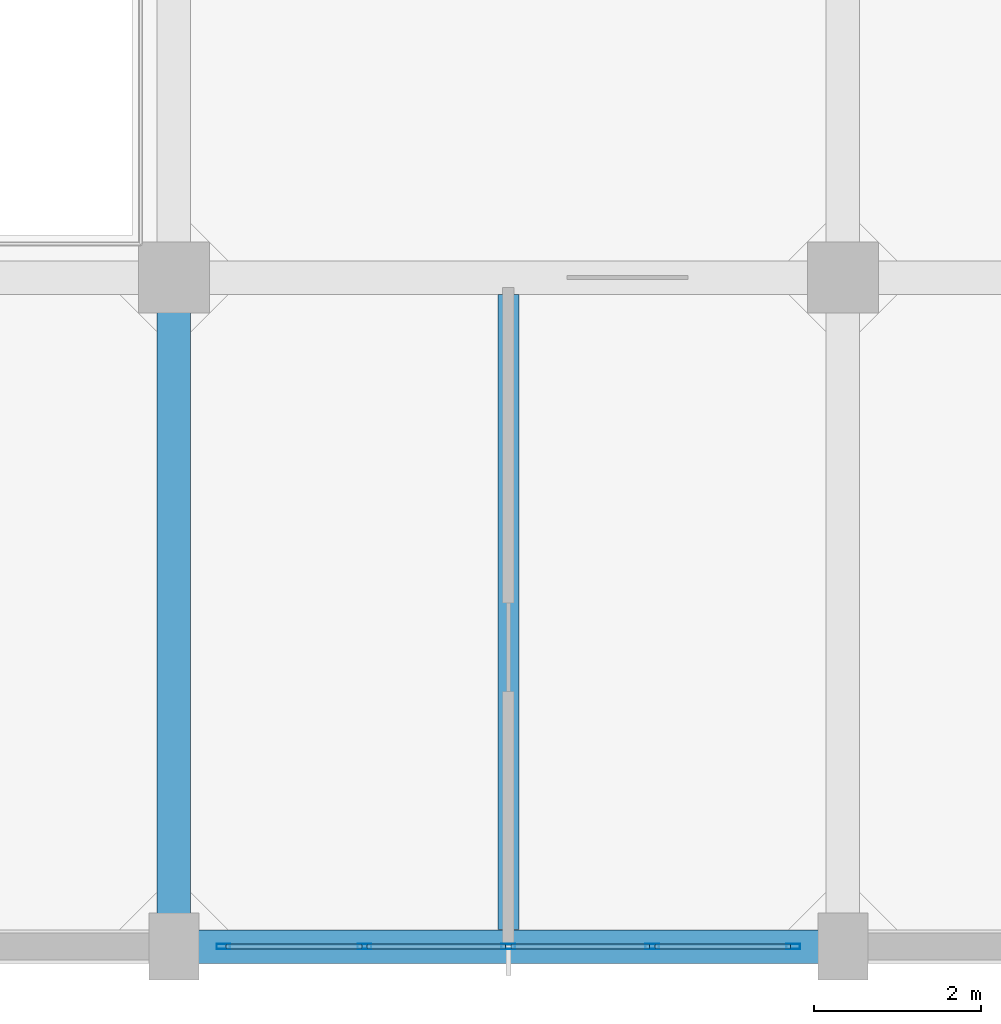
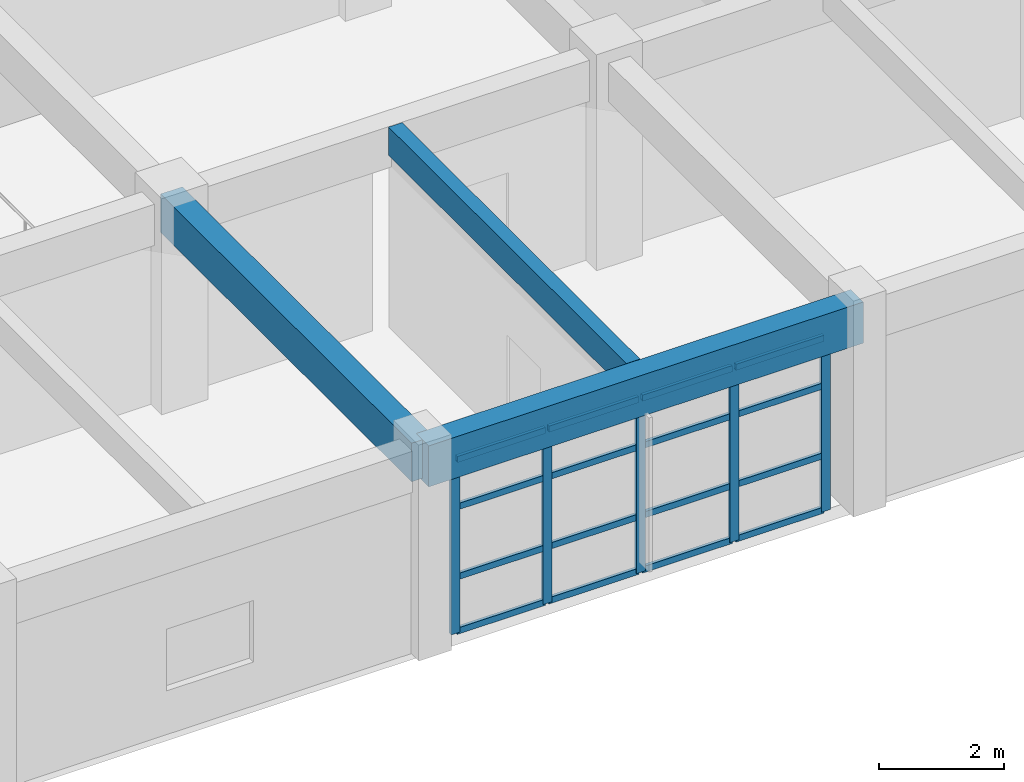
# One storey, part 6 of 30: 21 members, 3 beams, 1 element without a shape of its own.
"""IFC4 building model written with IfcOpenShell, lengths in metres."""

import ifcopenshell
import ifcopenshell.guid

model = None  # the IFC model being written
_history = None  # IfcOwnerHistory: only IFC2X3 demands one
_inside = {}  # id of a spatial element -> (the spatial element, [elements in it])
_under = {}  # id of a project, library or spatial element -> (it, [spatial elements below it])
_declared = {}  # id of a project -> (the project, [libraries it declares])
_typed = {}  # id of a type object -> (the type object, [elements of that type])
_made_of = {}  # id of a material, layer set ... -> (it, [elements and type objects made of it])


def new_model(schema):
    """Start an empty IFC model of exactly this schema.

    Asked for "IFC4X3", IfcOpenShell would pick the latest addendum, in which some entities
    have other attributes; the version numbers below select the first issue.
    IFC2X3 requires an IfcOwnerHistory on every rooted entity: one is made here for all.
    """
    global model, _history
    if schema == "IFC4X3":
        model = ifcopenshell.file(schema_version=(4, 3, 0, 0))
    else:
        model = ifcopenshell.file(schema=schema)
    _inside.clear()
    _under.clear()
    _declared.clear()
    _typed.clear()
    _made_of.clear()
    _history = None
    if model.schema == "IFC2X3":
        org = make("IfcOrganization", Name="unknown")
        user = make(
            "IfcPersonAndOrganization",
            ThePerson=make("IfcPerson", FamilyName="unknown"),
            TheOrganization=org,
        )
        app = make(
            "IfcApplication",
            ApplicationDeveloper=org,
            Version="unknown",
            ApplicationFullName="unknown",
            ApplicationIdentifier="unknown",
        )
        _history = make(
            "IfcOwnerHistory",
            OwningUser=user,
            OwningApplication=app,
            ChangeAction="ADDED",
            CreationDate=0,
        )
    return model


def make(cls, **values):
    """One entity of the class cls with the attributes given. An attribute that is None is left unset."""
    return model.create_entity(
        cls, **{name: value for name, value in values.items() if value is not None}
    )


def rooted(cls, **values):
    """An entity with a GlobalId (a new one), such as an element, a storey or a relation."""
    return make(cls, GlobalId=ifcopenshell.guid.new(), OwnerHistory=_history, **values)


def si_unit(unit_type, name, prefix=None):
    """IfcSIUnit, for example si_unit("LENGTHUNIT", "METRE", prefix="MILLI")."""
    return make("IfcSIUnit", UnitType=unit_type, Prefix=prefix, Name=name)


def assignment(units):
    """IfcUnitAssignment: the units of a project."""
    return None if units is None else make("IfcUnitAssignment", Units=units)


def point(xyz):
    """IfcCartesianPoint."""
    return None if xyz is None else make("IfcCartesianPoint", Coordinates=xyz)


def direction(xyz):
    """IfcDirection."""
    return None if xyz is None else make("IfcDirection", DirectionRatios=xyz)


def frame(location, z_axis=None, x_axis=None):
    """IfcAxis2Placement3D, a coordinate frame: its origin and axes. An axis left out is left unset."""
    return make(
        "IfcAxis2Placement3D",
        Location=point(location),
        Axis=direction(z_axis),
        RefDirection=direction(x_axis),
    )


def frame_2d(location, x_axis=None):
    """IfcAxis2Placement2D, a coordinate frame in the plane: its origin and x axis."""
    return make(
        "IfcAxis2Placement2D", Location=point(location), RefDirection=direction(x_axis)
    )


def origin():
    """The frame at (0, 0, 0) with its axes left unset."""
    return frame((0.0, 0.0, 0.0))


def origin_2d():
    """The frame at (0, 0) in the plane with its x axis left unset."""
    return frame_2d((0.0, 0.0))


def place(relative_to, where):
    """IfcLocalPlacement: puts the frame where relative to a parent placement (None: the world)."""
    return make(
        "IfcLocalPlacement", PlacementRelTo=relative_to, RelativePlacement=where
    )


def context(
    kind, dimensions, precision=None, world=None, true_north=None, identifier=None
):
    """IfcGeometricRepresentationContext, for example the 3D "Model" context."""
    return make(
        "IfcGeometricRepresentationContext",
        ContextIdentifier=identifier,
        ContextType=kind,
        CoordinateSpaceDimension=dimensions,
        Precision=precision,
        WorldCoordinateSystem=world,
        TrueNorth=true_north,
    )


def subcontext(parent, identifier, kind, view, scale=None):
    """IfcGeometricRepresentationSubContext, for example "Body" below "Model"."""
    return make(
        "IfcGeometricRepresentationSubContext",
        ContextIdentifier=identifier,
        ContextType=kind,
        ParentContext=parent,
        TargetScale=scale,
        TargetView=view,
    )


def project(units=None, contexts=None):
    """IfcProject with its units and contexts."""
    return rooted(
        "IfcProject",
        Name="project",
        RepresentationContexts=contexts,
        UnitsInContext=assignment(units),
    )


def spatial(cls, under=None, at=None, **own):
    """A site, building, storey or space (cls), placed at a placement, below another one or the project."""
    s = rooted(cls, ObjectPlacement=at, **own)
    if under is not None:
        _under.setdefault(under.id(), (under, []))[1].append(s)
    return s


def profile(cls, at=None, kind="AREA", **sizes):
    """A parametric profile (cls). Its sizes go by their IFC names, for example OverallWidth=200.0."""
    return make(cls, ProfileType=kind, Position=at, **sizes)


def rectangle(**sizes):
    """IfcRectangleProfileDef."""
    return profile("IfcRectangleProfileDef", **sizes)


def hollow_rectangle(**sizes):
    """IfcRectangleHollowProfileDef."""
    return profile("IfcRectangleHollowProfileDef", **sizes)


def extrude(swept, where, along, depth):
    """IfcExtrudedAreaSolid: the profile swept, set in the frame where, extruded along a direction by depth."""
    return make(
        "IfcExtrudedAreaSolid",
        SweptArea=swept,
        Position=where,
        ExtrudedDirection=direction(along),
        Depth=depth,
    )


def shape(context_of_items, identifier, shape_type, items):
    """IfcShapeRepresentation: the items that make up one representation, for example the "Body"."""
    return make(
        "IfcShapeRepresentation",
        ContextOfItems=context_of_items,
        RepresentationIdentifier=identifier,
        RepresentationType=shape_type,
        Items=items,
    )


def material(Name=None, Category=None):
    """IfcMaterial."""
    return make("IfcMaterial", Name=Name, Category=Category)


def layer(
    of_material, thickness, ventilated=None, Name=None, Category=None, Priority=None
):
    """IfcMaterialLayer: one layer of a wall or slab, of a material (None: an air gap)."""
    return make(
        "IfcMaterialLayer",
        Material=of_material,
        LayerThickness=thickness,
        IsVentilated=ventilated,
        Name=Name,
        Category=Category,
        Priority=Priority,
    )


def layer_set(layers, Name=None):
    """IfcMaterialLayerSet."""
    return make("IfcMaterialLayerSet", MaterialLayers=layers, LayerSetName=Name)


def material_profile(
    of_material, cross_section, Name=None, Category=None, Priority=None
):
    """IfcMaterialProfile: a cross section and its material."""
    return make(
        "IfcMaterialProfile",
        Name=Name,
        Material=of_material,
        Profile=cross_section,
        Priority=Priority,
        Category=Category,
    )


def profile_set(profiles, Name=None, composite=None):
    """IfcMaterialProfileSet."""
    return make(
        "IfcMaterialProfileSet",
        Name=Name,
        MaterialProfiles=profiles,
        CompositeProfile=composite,
    )


def made_of(thing, what):
    """Note that an element or type object is made of a material, layer set ...; save() writes the relation."""
    if what is not None:
        _made_of.setdefault(what.id(), (what, []))[1].append(thing)
    return thing


def type_object(cls, material=None, **own):
    """A type object (cls), such as IfcWallType, which elements share."""
    return made_of(rooted(cls, **own), material)


def element(
    cls,
    number,
    at=None,
    inside=None,
    cuts=None,
    type_object=None,
    material=None,
    context=None,
    identifier="Body",
    shape_type=None,
    held_by="IfcProductDefinitionShape",
    body=None,
    shapes=None,
    **own,
):
    """One element of the class cls, such as IfcWall. Its Tag is "e" and its number.

    at: its placement. inside: the storey or other place that contains it. cuts: it is an
    opening in that element (IfcRelVoidsElement). A single representation is given by context,
    identifier, shape_type and body (its items); several are given by shapes. held_by: the class
    of the entity that holds the representations. save() writes the other relations.
    """
    e = rooted(cls, Tag="e%d" % number, ObjectPlacement=at, **own)
    if body is not None:
        shapes = [shape(context, identifier, shape_type, body)]
    if shapes is not None:
        e.Representation = make(held_by, Representations=shapes)
    if inside is not None:
        _inside.setdefault(inside.id(), (inside, []))[1].append(e)
    if cuts is not None:
        rooted(
            "IfcRelVoidsElement", RelatingBuildingElement=cuts, RelatedOpeningElement=e
        )
    if type_object is not None:
        _typed.setdefault(type_object.id(), (type_object, []))[1].append(e)
    return made_of(e, material)


def aggregate(whole, parts):
    """IfcRelAggregates: a whole, such as a stair, and the parts it consists of."""
    return rooted("IfcRelAggregates", RelatingObject=whole, RelatedObjects=parts)


def save(model, path):
    """Write the relations noted so far, then the file.

    IfcRelAggregates (storeys below a building ...), IfcRelContainedInSpatialStructure (elements
    in a storey), IfcRelDefinesByType, IfcRelAssociatesMaterial and IfcRelDeclares: one each for
    every whole, place, type object, material and project.
    """
    for whole, parts in _under.values():
        aggregate(whole, parts)
    for where, things in _inside.values():
        rooted(
            "IfcRelContainedInSpatialStructure",
            RelatedElements=things,
            RelatingStructure=where,
        )
    for kind, things in _typed.values():
        rooted("IfcRelDefinesByType", RelatedObjects=things, RelatingType=kind)
    for what, things in _made_of.values():
        rooted("IfcRelAssociatesMaterial", RelatedObjects=things, RelatingMaterial=what)
    for by, libraries in _declared.values():
        rooted("IfcRelDeclares", RelatingContext=by, RelatedDefinitions=libraries)
    model.write(path)


model = new_model("IFC4")

# Units and contexts
model_context = context("Model", 3, precision=1e-05, world=origin(), true_north=direction((0.0, 1.0)))
body_context = subcontext(model_context, "Body", "Model", "MODEL_VIEW")
ifc_project = project(units=[si_unit("LENGTHUNIT", "METRE"), si_unit("AREAUNIT", "SQUARE_METRE"), si_unit("VOLUMEUNIT", "CUBIC_METRE"), si_unit("PLANEANGLEUNIT", "RADIAN"), si_unit("MASSUNIT", "GRAM", prefix="KILO")], contexts=[model_context])

# Site, building, storey
site_placement = place(None, origin())
site = spatial("IfcSite", under=ifc_project, at=site_placement, CompositionType="ELEMENT")
building_placement = place(site_placement, origin())
building = spatial("IfcBuilding", under=site, at=building_placement, Name="Canggui Botanical Conservatory", CompositionType="ELEMENT")
storey_placement = place(building_placement, frame((0.0, 0.0, 19.199951171875)))
storey = spatial("IfcBuildingStorey", under=building, at=storey_placement, Name="L05", CompositionType="ELEMENT", Elevation=19.199951171875)

# Beams
ifc_material_1 = material(Name="Concrete C35", Category="concrete")
ifc_material_profile_1 = material_profile(ifc_material_1, rectangle(XDim=0.25, YDim=0.550048828125, at=origin_2d()), Name="RB 250x550")
ifc_profile_set_1 = profile_set([ifc_material_profile_1], Name="Concrete C35")
beam_type_1 = type_object("IfcBeamType", Name="BM-JST03", PredefinedType="JOIST", material=ifc_profile_set_1)
beam_1_placement = place(storey_placement, frame((158.0, 26.205078125, 3.68505859375), z_axis=(0.0, 1.0, 0.0), x_axis=(-1.0, 0.0, 0.0)))
element("IfcBeam", 1, at=beam_1_placement, inside=storey, type_object=beam_type_1, Name="Secondary Floor Joist L05-3-1", PredefinedType="JOIST", context=body_context, shape_type="SweptSolid", body=[
    extrude(rectangle(XDim=0.25, YDim=0.550048828125, at=origin_2d()), origin(), (0.0, 0.0, 1.0), 7.58984375),
])
ifc_material_profile_2 = material_profile(ifc_material_1, rectangle(XDim=0.39990234375, YDim=0.800048828125, at=origin_2d()), Name="RB 400x800")
ifc_profile_set_2 = profile_set([ifc_material_profile_2], Name="Concrete C35")
beam_type_2 = type_object("IfcBeamType", Name="BM-KL09", PredefinedType="BEAM", material=ifc_profile_set_2)
beam_2_placement = place(storey_placement, frame((154.0, 26.0, 3.56005859375), z_axis=(1.0, 0.0, 0.0), x_axis=(0.0, 1.0, 0.0)))
element("IfcBeam", 2, at=beam_2_placement, inside=storey, type_object=beam_type_2, Name="Frame Girder L05 Y26-3", PredefinedType="BEAM", context=body_context, shape_type="SweptSolid", body=[
    extrude(rectangle(XDim=0.39990234375, YDim=0.800048828125, at=origin_2d()), origin(), (0.0, 0.0, 1.0), 8.0),
])
ifc_material_profile_3 = material_profile(ifc_material_1, rectangle(XDim=0.39990234375, YDim=0.75, at=origin_2d()), Name="RB 400x750")
ifc_profile_set_3 = profile_set([ifc_material_profile_3], Name="Concrete C35")
beam_type_3 = type_object("IfcBeamType", Name="BM-KL10", PredefinedType="BEAM", material=ifc_profile_set_3)
beam_3_placement = place(storey_placement, frame((154.0, 26.0, 3.5849609375), z_axis=(0.0, 1.0, 0.0), x_axis=(-1.0, 0.0, 0.0)))
element("IfcBeam", 3, at=beam_3_placement, inside=storey, type_object=beam_type_3, Name="Frame Girder L05 X154-1", PredefinedType="BEAM", context=body_context, shape_type="SweptSolid", body=[
    extrude(rectangle(XDim=0.39990234375, YDim=0.75, at=origin_2d()), origin(), (0.0, 0.0, 1.0), 8.0),
])

# Curtain wall, members
ifc_material_2 = material(Name="Thermally Broken Aluminium", Category="aluminium")
ifc_layer = layer(ifc_material_2, 0.1650390625, Name="Thermally Broken Aluminium", Category="aluminium")
ifc_layer_set = layer_set([ifc_layer], Name="Thermally Broken Aluminium")
curtain_wall_type = type_object("IfcCurtainWallType", Name="CW-UNIT-B", PredefinedType="USERDEFINED", material=ifc_layer_set)
curtain_wall_placement = place(storey_placement, origin())
curtain_wall = element("IfcCurtainWall", 4, at=curtain_wall_placement, inside=storey, type_object=curtain_wall_type, Name="Facade Curtain Wall CW-TWR-L05-03", ObjectType="UNITISED CURTAIN WALL", PredefinedType="USERDEFINED")
ifc_material_profile_4 = material_profile(ifc_material_2, hollow_rectangle(XDim=0.06494140625, YDim=0.1650390625, WallThickness=0.00390625, at=origin_2d()), Name="CWM 65x165x4")
ifc_profile_set_4 = profile_set([ifc_material_profile_4], Name="Thermally Broken Aluminium")
member_type_1 = type_object("IfcMemberType", Name="CWM-02", PredefinedType="MULLION", material=ifc_profile_set_4)
member_1_placement = place(storey_placement, frame((161.407470703125, 26.0, 0.0), z_axis=(0.0, 0.0, 1.0), x_axis=(0.0, -1.0, 0.0)))
member_1 = element("IfcMember", 5, at=member_1_placement, type_object=member_type_1, Name="CW-02 mullion 1", PredefinedType="MULLION", context=body_context, shape_type="SweptSolid", body=[
    extrude(hollow_rectangle(XDim=0.06494140625, YDim=0.1650390625, WallThickness=0.00390625, at=origin_2d()), origin(), (0.0, 0.0, 1.0), 3.400146484375),
])
member_2_placement = place(storey_placement, frame((159.719970703125, 26.0, 0.0), z_axis=(0.0, 0.0, 1.0), x_axis=(0.0, -1.0, 0.0)))
member_2 = element("IfcMember", 6, at=member_2_placement, type_object=member_type_1, Name="CW-02 mullion 2", PredefinedType="MULLION", context=body_context, shape_type="SweptSolid", body=[
    extrude(hollow_rectangle(XDim=0.06494140625, YDim=0.1650390625, WallThickness=0.00390625, at=origin_2d()), origin(), (0.0, 0.0, 1.0), 3.400146484375),
])
member_3_placement = place(storey_placement, frame((158.0, 26.0, 0.0), z_axis=(0.0, 0.0, 1.0), x_axis=(0.0, -1.0, 0.0)))
member_3 = element("IfcMember", 7, at=member_3_placement, type_object=member_type_1, Name="CW-02 mullion 3", PredefinedType="MULLION", context=body_context, shape_type="SweptSolid", body=[
    extrude(hollow_rectangle(XDim=0.06494140625, YDim=0.1650390625, WallThickness=0.00390625, at=origin_2d()), origin(), (0.0, 0.0, 1.0), 3.400146484375),
])
member_4_placement = place(storey_placement, frame((156.280029296875, 26.0, 0.0), z_axis=(0.0, 0.0, 1.0), x_axis=(0.0, -1.0, 0.0)))
member_4 = element("IfcMember", 8, at=member_4_placement, type_object=member_type_1, Name="CW-02 mullion 4", PredefinedType="MULLION", context=body_context, shape_type="SweptSolid", body=[
    extrude(hollow_rectangle(XDim=0.06494140625, YDim=0.1650390625, WallThickness=0.00390625, at=origin_2d()), origin(), (0.0, 0.0, 1.0), 3.400146484375),
])
member_5_placement = place(storey_placement, frame((154.592529296875, 26.0, 0.0), z_axis=(0.0, 0.0, 1.0), x_axis=(0.0, -1.0, 0.0)))
member_5 = element("IfcMember", 9, at=member_5_placement, type_object=member_type_1, Name="CW-02 mullion 5", PredefinedType="MULLION", context=body_context, shape_type="SweptSolid", body=[
    extrude(hollow_rectangle(XDim=0.06494140625, YDim=0.1650390625, WallThickness=0.00390625, at=origin_2d()), origin(), (0.0, 0.0, 1.0), 3.400146484375),
])
ifc_material_profile_5 = material_profile(ifc_material_2, hollow_rectangle(XDim=0.06005859375, YDim=0.1201171875, WallThickness=0.00341796875, at=origin_2d()), Name="CWT 60x120x3.5")
ifc_profile_set_5 = profile_set([ifc_material_profile_5], Name="Thermally Broken Aluminium")
member_type_2 = type_object("IfcMemberType", Name="CWT-02", PredefinedType="USERDEFINED", material=ifc_profile_set_5)
member_6_placement = place(storey_placement, frame((161.375, 26.0, 0.030029296875), z_axis=(-1.0, 0.0, 0.0), x_axis=(0.0, -1.0, 0.0)))
member_6 = element("IfcMember", 10, at=member_6_placement, type_object=member_type_2, Name="CW-02 transom 1.1", ObjectType="TRANSOM", PredefinedType="USERDEFINED", context=body_context, shape_type="SweptSolid", body=[
    extrude(hollow_rectangle(XDim=0.06005859375, YDim=0.1201171875, WallThickness=0.00341796875, at=origin_2d()), origin(), (0.0, 0.0, 1.0), 1.62255859375),
])
member_7_placement = place(storey_placement, frame((161.375, 26.0, 1.088134765625), z_axis=(-1.0, 0.0, 0.0), x_axis=(0.0, -1.0, 0.0)))
member_7 = element("IfcMember", 11, at=member_7_placement, type_object=member_type_2, Name="CW-02 transom 1.2", ObjectType="TRANSOM", PredefinedType="USERDEFINED", context=body_context, shape_type="SweptSolid", body=[
    extrude(hollow_rectangle(XDim=0.06005859375, YDim=0.1201171875, WallThickness=0.00341796875, at=origin_2d()), origin(), (0.0, 0.0, 1.0), 1.62255859375),
])
member_8_placement = place(storey_placement, frame((161.375, 26.0, 2.447998046875), z_axis=(-1.0, 0.0, 0.0), x_axis=(0.0, -1.0, 0.0)))
member_8 = element("IfcMember", 12, at=member_8_placement, type_object=member_type_2, Name="CW-02 transom 1.3", ObjectType="TRANSOM", PredefinedType="USERDEFINED", context=body_context, shape_type="SweptSolid", body=[
    extrude(hollow_rectangle(XDim=0.06005859375, YDim=0.1201171875, WallThickness=0.00341796875, at=origin_2d()), origin(), (0.0, 0.0, 1.0), 1.62255859375),
])
member_9_placement = place(storey_placement, frame((161.375, 26.0, 3.3701171875), z_axis=(-1.0, 0.0, 0.0), x_axis=(0.0, -1.0, 0.0)))
member_9 = element("IfcMember", 13, at=member_9_placement, type_object=member_type_2, Name="CW-02 transom 1.4", ObjectType="TRANSOM", PredefinedType="USERDEFINED", context=body_context, shape_type="SweptSolid", body=[
    extrude(hollow_rectangle(XDim=0.06005859375, YDim=0.1201171875, WallThickness=0.00341796875, at=origin_2d()), origin(), (0.0, 0.0, 1.0), 1.62255859375),
])
member_10_placement = place(storey_placement, frame((159.6875, 26.0, 0.030029296875), z_axis=(-1.0, 0.0, 0.0), x_axis=(0.0, -1.0, 0.0)))
member_10 = element("IfcMember", 14, at=member_10_placement, type_object=member_type_2, Name="CW-02 transom 2.1", ObjectType="TRANSOM", PredefinedType="USERDEFINED", context=body_context, shape_type="SweptSolid", body=[
    extrude(hollow_rectangle(XDim=0.06005859375, YDim=0.1201171875, WallThickness=0.00341796875, at=origin_2d()), origin(), (0.0, 0.0, 1.0), 1.655029296875),
])
member_11_placement = place(storey_placement, frame((159.6875, 26.0, 1.088134765625), z_axis=(-1.0, 0.0, 0.0), x_axis=(0.0, -1.0, 0.0)))
member_11 = element("IfcMember", 15, at=member_11_placement, type_object=member_type_2, Name="CW-02 transom 2.2", ObjectType="TRANSOM", PredefinedType="USERDEFINED", context=body_context, shape_type="SweptSolid", body=[
    extrude(hollow_rectangle(XDim=0.06005859375, YDim=0.1201171875, WallThickness=0.00341796875, at=origin_2d()), origin(), (0.0, 0.0, 1.0), 1.655029296875),
])
member_12_placement = place(storey_placement, frame((159.6875, 26.0, 2.447998046875), z_axis=(-1.0, 0.0, 0.0), x_axis=(0.0, -1.0, 0.0)))
member_12 = element("IfcMember", 16, at=member_12_placement, type_object=member_type_2, Name="CW-02 transom 2.3", ObjectType="TRANSOM", PredefinedType="USERDEFINED", context=body_context, shape_type="SweptSolid", body=[
    extrude(hollow_rectangle(XDim=0.06005859375, YDim=0.1201171875, WallThickness=0.00341796875, at=origin_2d()), origin(), (0.0, 0.0, 1.0), 1.655029296875),
])
member_13_placement = place(storey_placement, frame((159.6875, 26.0, 3.3701171875), z_axis=(-1.0, 0.0, 0.0), x_axis=(0.0, -1.0, 0.0)))
member_13 = element("IfcMember", 17, at=member_13_placement, type_object=member_type_2, Name="CW-02 transom 2.4", ObjectType="TRANSOM", PredefinedType="USERDEFINED", context=body_context, shape_type="SweptSolid", body=[
    extrude(hollow_rectangle(XDim=0.06005859375, YDim=0.1201171875, WallThickness=0.00341796875, at=origin_2d()), origin(), (0.0, 0.0, 1.0), 1.655029296875),
])
member_14_placement = place(storey_placement, frame((157.967529296875, 26.0, 0.030029296875), z_axis=(-1.0, 0.0, 0.0), x_axis=(0.0, -1.0, 0.0)))
member_14 = element("IfcMember", 18, at=member_14_placement, type_object=member_type_2, Name="CW-02 transom 3.1", ObjectType="TRANSOM", PredefinedType="USERDEFINED", context=body_context, shape_type="SweptSolid", body=[
    extrude(hollow_rectangle(XDim=0.06005859375, YDim=0.1201171875, WallThickness=0.00341796875, at=origin_2d()), origin(), (0.0, 0.0, 1.0), 1.655029296875),
])
member_15_placement = place(storey_placement, frame((157.967529296875, 26.0, 1.088134765625), z_axis=(-1.0, 0.0, 0.0), x_axis=(0.0, -1.0, 0.0)))
member_15 = element("IfcMember", 19, at=member_15_placement, type_object=member_type_2, Name="CW-02 transom 3.2", ObjectType="TRANSOM", PredefinedType="USERDEFINED", context=body_context, shape_type="SweptSolid", body=[
    extrude(hollow_rectangle(XDim=0.06005859375, YDim=0.1201171875, WallThickness=0.00341796875, at=origin_2d()), origin(), (0.0, 0.0, 1.0), 1.655029296875),
])
member_16_placement = place(storey_placement, frame((157.967529296875, 26.0, 2.447998046875), z_axis=(-1.0, 0.0, 0.0), x_axis=(0.0, -1.0, 0.0)))
member_16 = element("IfcMember", 20, at=member_16_placement, type_object=member_type_2, Name="CW-02 transom 3.3", ObjectType="TRANSOM", PredefinedType="USERDEFINED", context=body_context, shape_type="SweptSolid", body=[
    extrude(hollow_rectangle(XDim=0.06005859375, YDim=0.1201171875, WallThickness=0.00341796875, at=origin_2d()), origin(), (0.0, 0.0, 1.0), 1.655029296875),
])
member_17_placement = place(storey_placement, frame((157.967529296875, 26.0, 3.3701171875), z_axis=(-1.0, 0.0, 0.0), x_axis=(0.0, -1.0, 0.0)))
member_17 = element("IfcMember", 21, at=member_17_placement, type_object=member_type_2, Name="CW-02 transom 3.4", ObjectType="TRANSOM", PredefinedType="USERDEFINED", context=body_context, shape_type="SweptSolid", body=[
    extrude(hollow_rectangle(XDim=0.06005859375, YDim=0.1201171875, WallThickness=0.00341796875, at=origin_2d()), origin(), (0.0, 0.0, 1.0), 1.655029296875),
])
member_18_placement = place(storey_placement, frame((156.24755859375, 26.0, 0.030029296875), z_axis=(-1.0, 0.0, 0.0), x_axis=(0.0, -1.0, 0.0)))
member_18 = element("IfcMember", 22, at=member_18_placement, type_object=member_type_2, Name="CW-02 transom 4.1", ObjectType="TRANSOM", PredefinedType="USERDEFINED", context=body_context, shape_type="SweptSolid", body=[
    extrude(hollow_rectangle(XDim=0.06005859375, YDim=0.1201171875, WallThickness=0.00341796875, at=origin_2d()), origin(), (0.0, 0.0, 1.0), 1.62255859375),
])
member_19_placement = place(storey_placement, frame((156.24755859375, 26.0, 1.088134765625), z_axis=(-1.0, 0.0, 0.0), x_axis=(0.0, -1.0, 0.0)))
member_19 = element("IfcMember", 23, at=member_19_placement, type_object=member_type_2, Name="CW-02 transom 4.2", ObjectType="TRANSOM", PredefinedType="USERDEFINED", context=body_context, shape_type="SweptSolid", body=[
    extrude(hollow_rectangle(XDim=0.06005859375, YDim=0.1201171875, WallThickness=0.00341796875, at=origin_2d()), origin(), (0.0, 0.0, 1.0), 1.62255859375),
])
member_20_placement = place(storey_placement, frame((156.24755859375, 26.0, 2.447998046875), z_axis=(-1.0, 0.0, 0.0), x_axis=(0.0, -1.0, 0.0)))
member_20 = element("IfcMember", 24, at=member_20_placement, type_object=member_type_2, Name="CW-02 transom 4.3", ObjectType="TRANSOM", PredefinedType="USERDEFINED", context=body_context, shape_type="SweptSolid", body=[
    extrude(hollow_rectangle(XDim=0.06005859375, YDim=0.1201171875, WallThickness=0.00341796875, at=origin_2d()), origin(), (0.0, 0.0, 1.0), 1.62255859375),
])
member_21_placement = place(storey_placement, frame((156.24755859375, 26.0, 3.3701171875), z_axis=(-1.0, 0.0, 0.0), x_axis=(0.0, -1.0, 0.0)))
member_21 = element("IfcMember", 25, at=member_21_placement, type_object=member_type_2, Name="CW-02 transom 4.4", ObjectType="TRANSOM", PredefinedType="USERDEFINED", context=body_context, shape_type="SweptSolid", body=[
    extrude(hollow_rectangle(XDim=0.06005859375, YDim=0.1201171875, WallThickness=0.00341796875, at=origin_2d()), origin(), (0.0, 0.0, 1.0), 1.62255859375),
])
aggregate(curtain_wall, [member_1, member_2, member_3, member_4, member_5, member_6, member_7, member_8, member_9, member_10, member_11, member_12, member_13, member_14, member_15, member_16, member_17, member_18, member_19, member_20, member_21])

save(model, "model.ifc")
